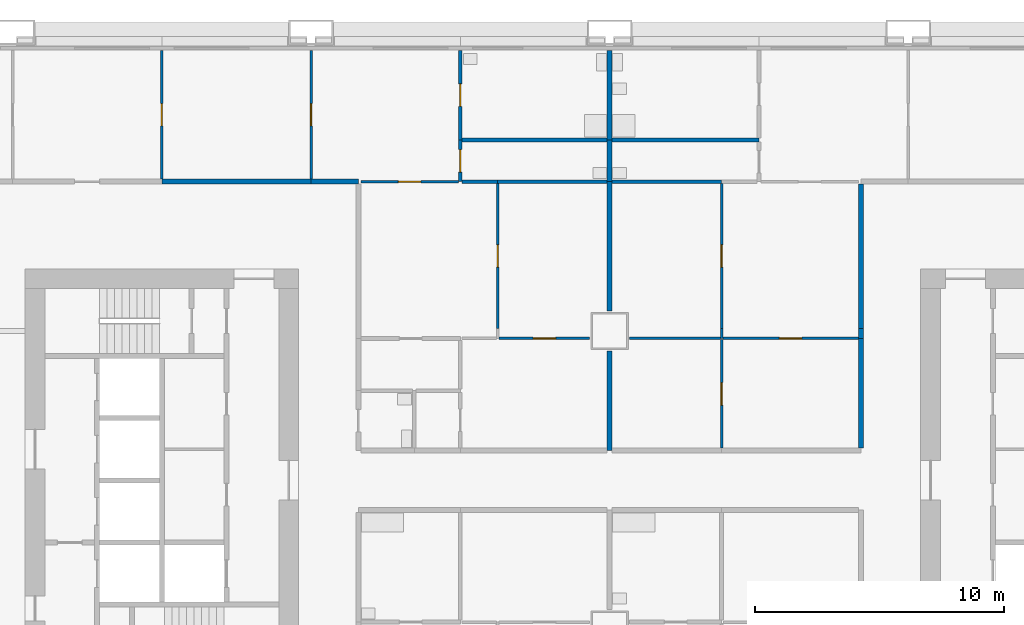
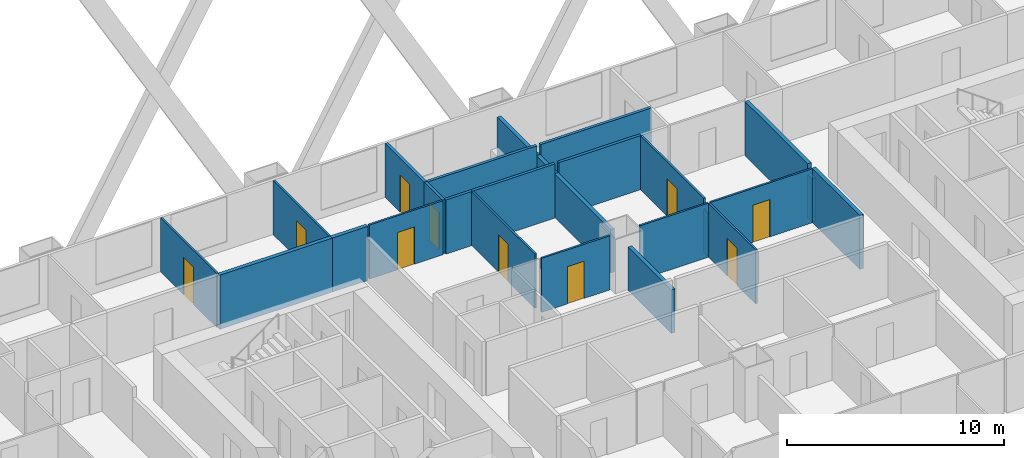
# One storey, part 8 of 13: 26 walls, 10 doors, 10 openings.
"""IFC4 building model written with IfcOpenShell, lengths in metres."""

from ifc_helpers import new_model, si_unit, direction, frame, frame_2d, origin, place, context, subcontext, project, spatial, rectangle, extrude, material, layer, layer_set, type_object, element, fill, save


model = new_model("IFC4")

# Units and contexts
model_context = context("Model", 3, precision=1e-05, world=origin(), true_north=direction((0.0, 1.0)))
body_context = subcontext(model_context, "Body", "Model", "MODEL_VIEW")
ifc_project = project(units=[si_unit("LENGTHUNIT", "METRE"), si_unit("AREAUNIT", "SQUARE_METRE"), si_unit("VOLUMEUNIT", "CUBIC_METRE"), si_unit("PLANEANGLEUNIT", "RADIAN"), si_unit("MASSUNIT", "GRAM", prefix="KILO")], contexts=[model_context])

# Site, building, storey
site_placement = place(None, origin())
site = spatial("IfcSite", under=ifc_project, at=site_placement, CompositionType="ELEMENT")
building_placement = place(site_placement, origin())
building = spatial("IfcBuilding", under=site, at=building_placement, Name="Kitamizu Gate Tower and Museum", CompositionType="ELEMENT")
storey_placement = place(building_placement, frame((0.0, 0.0, 30.0)))
storey = spatial("IfcBuildingStorey", under=building, at=storey_placement, Name="L05", CompositionType="ELEMENT", Elevation=30.0)

# Wall, opening, door
ifc_material_1 = material(Name="Gypsum board on galvanised stud")
ifc_layer_1 = layer(ifc_material_1, 0.10009765625)
ifc_layer_set_1 = layer_set([ifc_layer_1], Name="Gypsum board on galvanised stud")
wall_type_1 = type_object("IfcWallType", Name="Partition 100 NOT RATED", PredefinedType="PARTITIONING", material=ifc_layer_set_1)
wall_1_placement = place(storey_placement, frame((18.0, 42.10009765625, 0.0), z_axis=(0.0, 0.0, 1.0), x_axis=(0.0, 1.0, 0.0)))
wall_1 = element("IfcWall", 1, at=wall_1_placement, inside=storey, type_object=wall_type_1, Name="Partition L05-148", PredefinedType="PARTITIONING", context=body_context, shape_type="SweptSolid", body=[
    extrude(rectangle(XDim=5.179931640625, YDim=0.10009765625, at=frame_2d((2.58984375, 0.0))), origin(), (0.0, 0.0, 1.0), 3.050048828125),
])
opening_1_placement = place(wall_1_placement, frame((2.139892578125, 0.0, 0.0)))
opening_1 = element("IfcOpeningElement", 2, at=opening_1_placement, cuts=wall_1, Name="Opening L05-057", PredefinedType="OPENING", context=body_context, shape_type="SweptSolid", body=[
    extrude(rectangle(XDim=0.89990234375, YDim=2.10009765625, at=frame_2d((0.449951171875, 1.050048828125))), frame((0.0, 0.06005859375, 0.0), z_axis=(0.0, -1.0, 0.0), x_axis=(1.0, 0.0, 0.0)), (0.0, 0.0, 1.0), 0.1201171875),
])
ifc_material_2 = material(Name="Timber door set", Category="wood")
door_type_1 = type_object("IfcDoorType", Name="Room door 900", OperationType="NOTDEFINED", PredefinedType="DOOR", material=ifc_material_2)
door_1_placement = place(opening_1_placement, frame((0.89990234375, 0.0, 0.0), x_axis=(-1.0, 0.0, 0.0)))
door_1 = element("IfcDoor", 3, at=door_1_placement, inside=storey, type_object=door_type_1, Name="Door L05-057", OperationType="SINGLE_SWING_RIGHT", OverallHeight=2.10009765625, OverallWidth=0.89990234375, PredefinedType="DOOR", context=body_context, shape_type="SweptSolid", body=[
    extrude(rectangle(XDim=0.89990234375, YDim=2.10009765625, at=frame_2d((0.449951171875, 1.050048828125))), frame((0.0, 0.02490234375, 0.0), z_axis=(0.0, -1.0, 0.0), x_axis=(1.0, 0.0, 0.0)), (0.0, 0.0, 1.0), 0.050048828125),
])
fill(opening_1, door_1)

wall_2_placement = place(storey_placement, frame((24.0, 42.10009765625, 0.0), z_axis=(0.0, 0.0, 1.0), x_axis=(0.0, 1.0, 0.0)))
wall_2 = element("IfcWall", 4, at=wall_2_placement, inside=storey, type_object=wall_type_1, Name="Partition L05-150", PredefinedType="PARTITIONING", context=body_context, shape_type="SweptSolid", body=[
    extrude(rectangle(XDim=5.179931640625, YDim=0.10009765625, at=frame_2d((2.58984375, 0.0))), origin(), (0.0, 0.0, 1.0), 3.050048828125),
])
opening_2_placement = place(wall_2_placement, frame((2.139892578125, 0.0, 0.0)))
opening_2 = element("IfcOpeningElement", 5, at=opening_2_placement, cuts=wall_2, Name="Opening L05-059", PredefinedType="OPENING", context=body_context, shape_type="SweptSolid", body=[
    extrude(rectangle(XDim=0.89990234375, YDim=2.10009765625, at=frame_2d((0.449951171875, 1.050048828125))), frame((0.0, 0.06005859375, 0.0), z_axis=(0.0, -1.0, 0.0), x_axis=(1.0, 0.0, 0.0)), (0.0, 0.0, 1.0), 0.1201171875),
])
door_2_placement = place(opening_2_placement, origin())
door_2 = element("IfcDoor", 6, at=door_2_placement, inside=storey, type_object=door_type_1, Name="Door L05-059", OperationType="SINGLE_SWING_LEFT", OverallHeight=2.10009765625, OverallWidth=0.89990234375, PredefinedType="DOOR", context=body_context, shape_type="SweptSolid", body=[
    extrude(rectangle(XDim=0.89990234375, YDim=2.10009765625, at=frame_2d((0.449951171875, 1.050048828125))), frame((0.0, 0.02490234375, 0.0), z_axis=(0.0, -1.0, 0.0), x_axis=(1.0, 0.0, 0.0)), (0.0, 0.0, 1.0), 0.050048828125),
])
fill(opening_2, door_2)

wall_3_placement = place(storey_placement, frame((26.0, 42.0, 0.0), z_axis=(0.0, 0.0, 1.0), x_axis=(1.0, 0.0, 0.0)))
wall_3 = element("IfcWall", 7, at=wall_3_placement, inside=storey, type_object=wall_type_1, Name="Partition L05-154", PredefinedType="PARTITIONING", context=body_context, shape_type="SweptSolid", body=[
    extrude(rectangle(XDim=3.925048828125, YDim=0.10009765625, at=frame_2d((1.96240234375, 0.0))), origin(), (0.0, 0.0, 1.0), 3.050048828125),
])
opening_3_placement = place(wall_3_placement, frame((1.512451171875, 0.0, 0.0)))
opening_3 = element("IfcOpeningElement", 8, at=opening_3_placement, cuts=wall_3, Name="Opening L05-062", PredefinedType="OPENING", context=body_context, shape_type="SweptSolid", body=[
    extrude(rectangle(XDim=0.89990234375, YDim=2.10009765625, at=frame_2d((0.449951171875, 1.050048828125))), frame((0.0, 0.06005859375, 0.0), z_axis=(0.0, -1.0, 0.0), x_axis=(1.0, 0.0, 0.0)), (0.0, 0.0, 1.0), 0.1201171875),
])
door_3_placement = place(opening_3_placement, origin())
door_3 = element("IfcDoor", 9, at=door_3_placement, inside=storey, type_object=door_type_1, Name="Door L05-062", OperationType="SINGLE_SWING_RIGHT", OverallHeight=2.10009765625, OverallWidth=0.89990234375, PredefinedType="DOOR", context=body_context, shape_type="SweptSolid", body=[
    extrude(rectangle(XDim=0.89990234375, YDim=2.10009765625, at=frame_2d((0.449951171875, 1.050048828125))), frame((0.0, 0.02490234375, 0.0), z_axis=(0.0, -1.0, 0.0), x_axis=(1.0, 0.0, 0.0)), (0.0, 0.0, 1.0), 0.050048828125),
])
fill(opening_3, door_3)

wall_4_placement = place(storey_placement, frame((31.5, 36.10009765625, 0.0), z_axis=(0.0, 0.0, 1.0), x_axis=(0.0, 1.0, 0.0)))
wall_4 = element("IfcWall", 10, at=wall_4_placement, inside=storey, type_object=wall_type_1, Name="Partition L05-162", PredefinedType="PARTITIONING", context=body_context, shape_type="SweptSolid", body=[
    extrude(rectangle(XDim=5.824951171875, YDim=0.10009765625, at=frame_2d((2.91259765625, 0.0))), origin(), (0.0, 0.0, 1.0), 3.050048828125),
])
opening_4_placement = place(wall_4_placement, frame((2.46240234375, 0.0, 0.0)))
opening_4 = element("IfcOpeningElement", 11, at=opening_4_placement, cuts=wall_4, Name="Opening L05-063", PredefinedType="OPENING", context=body_context, shape_type="SweptSolid", body=[
    extrude(rectangle(XDim=0.89990234375, YDim=2.10009765625, at=frame_2d((0.449951171875, 1.050048828125))), frame((0.0, 0.06005859375, 0.0), z_axis=(0.0, -1.0, 0.0), x_axis=(1.0, 0.0, 0.0)), (0.0, 0.0, 1.0), 0.1201171875),
])
door_4_placement = place(opening_4_placement, frame((0.89990234375, 0.0, 0.0), x_axis=(-1.0, 0.0, 0.0)))
door_4 = element("IfcDoor", 12, at=door_4_placement, inside=storey, type_object=door_type_1, Name="Door L05-063", OperationType="SINGLE_SWING_RIGHT", OverallHeight=2.10009765625, OverallWidth=0.89990234375, PredefinedType="DOOR", context=body_context, shape_type="SweptSolid", body=[
    extrude(rectangle(XDim=0.89990234375, YDim=2.10009765625, at=frame_2d((0.449951171875, 1.050048828125))), frame((0.0, 0.02490234375, 0.0), z_axis=(0.0, -1.0, 0.0), x_axis=(1.0, 0.0, 0.0)), (0.0, 0.0, 1.0), 0.050048828125),
])
fill(opening_4, door_4)

wall_5_placement = place(storey_placement, frame((31.550048828125, 35.699951171875, 0.0), z_axis=(0.0, 0.0, 1.0), x_axis=(1.0, 0.0, 0.0)))
wall_5 = element("IfcWall", 13, at=wall_5_placement, inside=storey, type_object=wall_type_1, Name="Partition L05-166", PredefinedType="PARTITIONING", context=body_context, shape_type="SweptSolid", body=[
    extrude(rectangle(XDim=3.64990234375, YDim=0.10009765625, at=frame_2d((1.824951171875, 0.0))), origin(), (0.0, 0.0, 1.0), 3.050048828125),
])
opening_5_placement = place(wall_5_placement, frame((1.375, 0.0, 0.0)))
opening_5 = element("IfcOpeningElement", 14, at=opening_5_placement, cuts=wall_5, Name="Opening L05-065", PredefinedType="OPENING", context=body_context, shape_type="SweptSolid", body=[
    extrude(rectangle(XDim=0.89990234375, YDim=2.10009765625, at=frame_2d((0.449951171875, 1.050048828125))), frame((0.0, 0.06005859375, 0.0), z_axis=(0.0, -1.0, 0.0), x_axis=(1.0, 0.0, 0.0)), (0.0, 0.0, 1.0), 0.1201171875),
])
door_5_placement = place(opening_5_placement, frame((0.89990234375, 0.0, 0.0), x_axis=(-1.0, 0.0, 0.0)))
door_5 = element("IfcDoor", 15, at=door_5_placement, inside=storey, type_object=door_type_1, Name="Door L05-065", OperationType="SINGLE_SWING_RIGHT", OverallHeight=2.10009765625, OverallWidth=0.89990234375, PredefinedType="DOOR", context=body_context, shape_type="SweptSolid", body=[
    extrude(rectangle(XDim=0.89990234375, YDim=2.10009765625, at=frame_2d((0.449951171875, 1.050048828125))), frame((0.0, 0.02490234375, 0.0), z_axis=(0.0, -1.0, 0.0), x_axis=(1.0, 0.0, 0.0)), (0.0, 0.0, 1.0), 0.050048828125),
])
fill(opening_5, door_5)

# Wall
wall_6_placement = place(storey_placement, frame((40.5, 35.699951171875, 0.0), z_axis=(0.0, 0.0, 1.0), x_axis=(0.0, 1.0, 0.0)))
element("IfcWall", 16, at=wall_6_placement, inside=storey, type_object=wall_type_1, Name="Partition L05-192", PredefinedType="PARTITIONING", context=body_context, shape_type="SweptSolid", body=[
    extrude(rectangle(XDim=0.400146484375, YDim=0.10009765625, at=frame_2d((0.2001953125, 0.0))), origin(), (0.0, 0.0, 1.0), 2.449951171875),
])

# Wall, opening, door
wall_7_placement = place(storey_placement, frame((40.5, 36.10009765625, 0.0), z_axis=(0.0, 0.0, 1.0), x_axis=(0.0, 1.0, 0.0)))
wall_7 = element("IfcWall", 17, at=wall_7_placement, inside=storey, type_object=wall_type_1, Name="Partition L05-193", PredefinedType="PARTITIONING", context=body_context, shape_type="SweptSolid", body=[
    extrude(rectangle(XDim=5.824951171875, YDim=0.10009765625, at=frame_2d((2.91259765625, 0.0))), origin(), (0.0, 0.0, 1.0), 3.050048828125),
])
opening_6_placement = place(wall_7_placement, frame((2.46240234375, 0.0, 0.0)))
opening_6 = element("IfcOpeningElement", 18, at=opening_6_placement, cuts=wall_7, Name="Opening L05-076", PredefinedType="OPENING", context=body_context, shape_type="SweptSolid", body=[
    extrude(rectangle(XDim=0.89990234375, YDim=2.10009765625, at=frame_2d((0.449951171875, 1.050048828125))), frame((0.0, 0.06005859375, 0.0), z_axis=(0.0, -1.0, 0.0), x_axis=(1.0, 0.0, 0.0)), (0.0, 0.0, 1.0), 0.1201171875),
])
door_6_placement = place(opening_6_placement, origin())
door_6 = element("IfcDoor", 19, at=door_6_placement, inside=storey, type_object=door_type_1, Name="Door L05-076", OperationType="SINGLE_SWING_LEFT", OverallHeight=2.10009765625, OverallWidth=0.89990234375, PredefinedType="DOOR", context=body_context, shape_type="SweptSolid", body=[
    extrude(rectangle(XDim=0.89990234375, YDim=2.10009765625, at=frame_2d((0.449951171875, 1.050048828125))), frame((0.0, 0.02490234375, 0.0), z_axis=(0.0, -1.0, 0.0), x_axis=(1.0, 0.0, 0.0)), (0.0, 0.0, 1.0), 0.050048828125),
])
fill(opening_6, door_6)

# Wall
wall_8_placement = place(storey_placement, frame((36.800048828125, 35.699951171875, 0.0), z_axis=(0.0, 0.0, 1.0), x_axis=(1.0, 0.0, 0.0)))
element("IfcWall", 20, at=wall_8_placement, inside=storey, type_object=wall_type_1, Name="Partition L05-194", PredefinedType="PARTITIONING", context=body_context, shape_type="SweptSolid", body=[
    extrude(rectangle(XDim=3.64990234375, YDim=0.10009765625, at=frame_2d((1.824951171875, 0.0))), origin(), (0.0, 0.0, 1.0), 3.050048828125),
])

# Wall, opening, door
wall_9_placement = place(storey_placement, frame((40.550048828125, 35.699951171875, 0.0), z_axis=(0.0, 0.0, 1.0), x_axis=(1.0, 0.0, 0.0)))
wall_9 = element("IfcWall", 21, at=wall_9_placement, inside=storey, type_object=wall_type_1, Name="Partition L05-195", PredefinedType="PARTITIONING", context=body_context, shape_type="SweptSolid", body=[
    extrude(rectangle(XDim=5.449951171875, YDim=0.10009765625, at=frame_2d((2.72509765625, 0.0))), origin(), (0.0, 0.0, 1.0), 3.050048828125),
])
opening_7_placement = place(wall_9_placement, frame((2.27490234375, 0.0, 0.0)))
opening_7 = element("IfcOpeningElement", 22, at=opening_7_placement, cuts=wall_9, Name="Opening L05-073", PredefinedType="OPENING", context=body_context, shape_type="SweptSolid", body=[
    extrude(rectangle(XDim=0.89990234375, YDim=2.10009765625, at=frame_2d((0.449951171875, 1.050048828125))), frame((0.0, 0.06005859375, 0.0), z_axis=(0.0, -1.0, 0.0), x_axis=(1.0, 0.0, 0.0)), (0.0, 0.0, 1.0), 0.1201171875),
])
door_7_placement = place(opening_7_placement, frame((0.89990234375, 0.0, 0.0), x_axis=(-1.0, 0.0, 0.0)))
door_7 = element("IfcDoor", 23, at=door_7_placement, inside=storey, type_object=door_type_1, Name="Door L05-073", OperationType="SINGLE_SWING_LEFT", OverallHeight=2.10009765625, OverallWidth=0.89990234375, PredefinedType="DOOR", context=body_context, shape_type="SweptSolid", body=[
    extrude(rectangle(XDim=0.89990234375, YDim=2.10009765625, at=frame_2d((0.449951171875, 1.050048828125))), frame((0.0, 0.02490234375, 0.0), z_axis=(0.0, -1.0, 0.0), x_axis=(1.0, 0.0, 0.0)), (0.0, 0.0, 1.0), 0.050048828125),
])
fill(opening_7, door_7)

wall_10_placement = place(storey_placement, frame((40.5, 31.300048828125, 0.0), z_axis=(0.0, 0.0, 1.0), x_axis=(0.0, 1.0, 0.0)))
wall_10 = element("IfcWall", 24, at=wall_10_placement, inside=storey, type_object=wall_type_1, Name="Partition L05-198", PredefinedType="PARTITIONING", context=body_context, shape_type="SweptSolid", body=[
    extrude(rectangle(XDim=4.349853515625, YDim=0.10009765625, at=frame_2d((2.1748046875, 0.0))), origin(), (0.0, 0.0, 1.0), 3.050048828125),
])
opening_8_placement = place(wall_10_placement, frame((1.72509765625, 0.0, 0.0)))
opening_8 = element("IfcOpeningElement", 25, at=opening_8_placement, cuts=wall_10, Name="Opening L05-077", PredefinedType="OPENING", context=body_context, shape_type="SweptSolid", body=[
    extrude(rectangle(XDim=0.89990234375, YDim=2.10009765625, at=frame_2d((0.449951171875, 1.050048828125))), frame((0.0, 0.06005859375, 0.0), z_axis=(0.0, -1.0, 0.0), x_axis=(1.0, 0.0, 0.0)), (0.0, 0.0, 1.0), 0.1201171875),
])
door_8_placement = place(opening_8_placement, origin())
door_8 = element("IfcDoor", 26, at=door_8_placement, inside=storey, type_object=door_type_1, Name="Door L05-077", OperationType="SINGLE_SWING_RIGHT", OverallHeight=2.10009765625, OverallWidth=0.89990234375, PredefinedType="DOOR", context=body_context, shape_type="SweptSolid", body=[
    extrude(rectangle(XDim=0.89990234375, YDim=2.10009765625, at=frame_2d((0.449951171875, 1.050048828125))), frame((0.0, 0.02490234375, 0.0), z_axis=(0.0, -1.0, 0.0), x_axis=(1.0, 0.0, 0.0)), (0.0, 0.0, 1.0), 0.050048828125),
])
fill(opening_8, door_8)

ifc_material_3 = material(Name="Gypsum board on galvanised stud")
ifc_layer_2 = layer(ifc_material_3, 0.14990234375)
ifc_layer_set_2 = layer_set([ifc_layer_2], Name="Gypsum board on galvanised stud")
wall_type_2 = type_object("IfcWallType", Name="Partition 150", PredefinedType="PARTITIONING", material=ifc_layer_set_2)
wall_11_placement = place(storey_placement, frame((30.0, 43.679931640625, 0.0), z_axis=(0.0, 0.0, 1.0), x_axis=(0.0, 1.0, 0.0)))
wall_11 = element("IfcWall", 27, at=wall_11_placement, inside=storey, type_object=wall_type_2, Name="Partition L05-152", PredefinedType="PARTITIONING", context=body_context, shape_type="SweptSolid", body=[
    extrude(rectangle(XDim=3.60009765625, YDim=0.14990234375, at=frame_2d((1.800048828125, 0.0))), origin(), (0.0, 0.0, 1.0), 3.050048828125),
])
opening_9_placement = place(wall_11_placement, frame((1.35009765625, 0.0, 0.0)))
opening_9 = element("IfcOpeningElement", 28, at=opening_9_placement, cuts=wall_11, Name="Opening L05-060", PredefinedType="OPENING", context=body_context, shape_type="SweptSolid", body=[
    extrude(rectangle(XDim=0.89990234375, YDim=2.10009765625, at=frame_2d((0.449951171875, 1.050048828125))), frame((0.0, 0.0849609375, 0.0), z_axis=(0.0, -1.0, 0.0), x_axis=(1.0, 0.0, 0.0)), (0.0, 0.0, 1.0), 0.169921875),
])
ifc_material_4 = material(Name="Timber door set", Category="wood")
door_type_2 = type_object("IfcDoorType", Name="Bathroom door 900", OperationType="NOTDEFINED", PredefinedType="DOOR", material=ifc_material_4)
door_9_placement = place(opening_9_placement, frame((0.89990234375, 0.0, 0.0), x_axis=(-1.0, 0.0, 0.0)))
door_9 = element("IfcDoor", 29, at=door_9_placement, inside=storey, type_object=door_type_2, Name="Bathroom door L05-060", OperationType="SINGLE_SWING_LEFT", OverallHeight=2.10009765625, OverallWidth=0.89990234375, PredefinedType="DOOR", context=body_context, shape_type="SweptSolid", body=[
    extrude(rectangle(XDim=0.89990234375, YDim=2.10009765625, at=frame_2d((0.449951171875, 1.050048828125))), frame((0.0, 0.02490234375, 0.0), z_axis=(0.0, -1.0, 0.0), x_axis=(1.0, 0.0, 0.0)), (0.0, 0.0, 1.0), 0.050048828125),
])
fill(opening_9, door_9)

wall_12_placement = place(storey_placement, frame((30.0, 42.0, 0.0), z_axis=(0.0, 0.0, 1.0), x_axis=(0.0, 1.0, 0.0)))
wall_12 = element("IfcWall", 30, at=wall_12_placement, inside=storey, type_object=wall_type_2, Name="Partition L05-153", PredefinedType="PARTITIONING", context=body_context, shape_type="SweptSolid", body=[
    extrude(rectangle(XDim=1.679931640625, YDim=0.14990234375, at=frame_2d((0.83984375, 0.0))), origin(), (0.0, 0.0, 1.0), 3.050048828125),
])
opening_10_placement = place(wall_12_placement, frame((0.389892578125, 0.0, 0.0)))
opening_10 = element("IfcOpeningElement", 31, at=opening_10_placement, cuts=wall_12, Name="Opening L05-061", PredefinedType="OPENING", context=body_context, shape_type="SweptSolid", body=[
    extrude(rectangle(XDim=0.89990234375, YDim=2.10009765625, at=frame_2d((0.449951171875, 1.050048828125))), frame((0.0, 0.0849609375, 0.0), z_axis=(0.0, -1.0, 0.0), x_axis=(1.0, 0.0, 0.0)), (0.0, 0.0, 1.0), 0.169921875),
])
door_10_placement = place(opening_10_placement, frame((0.89990234375, 0.0, 0.0), x_axis=(-1.0, 0.0, 0.0)))
door_10 = element("IfcDoor", 32, at=door_10_placement, inside=storey, type_object=door_type_2, Name="Bathroom door L05-061", OperationType="SINGLE_SWING_RIGHT", OverallHeight=2.10009765625, OverallWidth=0.89990234375, PredefinedType="DOOR", context=body_context, shape_type="SweptSolid", body=[
    extrude(rectangle(XDim=0.89990234375, YDim=2.10009765625, at=frame_2d((0.449951171875, 1.050048828125))), frame((0.0, 0.02490234375, 0.0), z_axis=(0.0, -1.0, 0.0), x_axis=(1.0, 0.0, 0.0)), (0.0, 0.0, 1.0), 0.050048828125),
])
fill(opening_10, door_10)

# Walls
wall_13_placement = place(storey_placement, frame((30.074951171875, 43.679931640625, 0.0), z_axis=(0.0, 0.0, 1.0), x_axis=(1.0, 0.0, 0.0)))
element("IfcWall", 33, at=wall_13_placement, inside=storey, type_object=wall_type_2, Name="Partition L05-156", PredefinedType="PARTITIONING", context=body_context, shape_type="SweptSolid", body=[
    extrude(rectangle(XDim=5.824951171875, YDim=0.14990234375, at=frame_2d((2.91259765625, 0.0))), origin(), (0.0, 0.0, 1.0), 3.050048828125),
])
wall_14_placement = place(storey_placement, frame((30.074951171875, 42.0, 0.0), z_axis=(0.0, 0.0, 1.0), x_axis=(1.0, 0.0, 0.0)))
element("IfcWall", 34, at=wall_14_placement, inside=storey, type_object=wall_type_2, Name="Partition L05-158", PredefinedType="PARTITIONING", context=body_context, shape_type="SweptSolid", body=[
    extrude(rectangle(XDim=1.425048828125, YDim=0.14990234375, at=frame_2d((0.71240234375, 0.0))), origin(), (0.0, 0.0, 1.0), 3.050048828125),
])
wall_15_placement = place(storey_placement, frame((31.5, 42.0, 0.0), z_axis=(0.0, 0.0, 1.0), x_axis=(1.0, 0.0, 0.0)))
element("IfcWall", 35, at=wall_15_placement, inside=storey, type_object=wall_type_2, Name="Partition L05-159", PredefinedType="PARTITIONING", context=body_context, shape_type="SweptSolid", body=[
    extrude(rectangle(XDim=4.39990234375, YDim=0.14990234375, at=frame_2d((2.199951171875, 0.0))), origin(), (0.0, 0.0, 1.0), 3.050048828125),
])
wall_16_placement = place(storey_placement, frame((36.10009765625, 43.679931640625, 0.0), z_axis=(0.0, 0.0, 1.0), x_axis=(1.0, 0.0, 0.0)))
element("IfcWall", 36, at=wall_16_placement, inside=storey, type_object=wall_type_2, Name="Partition L05-179", PredefinedType="PARTITIONING", context=body_context, shape_type="SweptSolid", body=[
    extrude(rectangle(XDim=5.89990234375, YDim=0.14990234375, at=frame_2d((2.949951171875, 0.0))), origin(), (0.0, 0.0, 1.0), 3.050048828125),
])
wall_17_placement = place(storey_placement, frame((36.10009765625, 42.0, 0.0), z_axis=(0.0, 0.0, 1.0), x_axis=(1.0, 0.0, 0.0)))
element("IfcWall", 37, at=wall_17_placement, inside=storey, type_object=wall_type_2, Name="Partition L05-182", PredefinedType="PARTITIONING", context=body_context, shape_type="SweptSolid", body=[
    extrude(rectangle(XDim=4.39990234375, YDim=0.14990234375, at=frame_2d((2.199951171875, 0.0))), origin(), (0.0, 0.0, 1.0), 3.050048828125),
])
ifc_material_5 = material(Name="Gypsum board on galvanised stud")
ifc_layer_3 = layer(ifc_material_5, 0.199951171875)
ifc_layer_set_3 = layer_set([ifc_layer_3], Name="Gypsum board on galvanised stud")
wall_type_3 = type_object("IfcWallType", Name="Partition 200", PredefinedType="PARTITIONING", material=ifc_layer_set_3)
wall_18_placement = place(storey_placement, frame((18.0, 42.0, 0.0), z_axis=(0.0, 0.0, 1.0), x_axis=(1.0, 0.0, 0.0)))
element("IfcWall", 38, at=wall_18_placement, inside=storey, type_object=wall_type_3, Name="Partition L05-151", PredefinedType="PARTITIONING", context=body_context, shape_type="SweptSolid", body=[
    extrude(rectangle(XDim=6.0, YDim=0.199951171875, at=frame_2d((3.0, 0.0))), origin(), (0.0, 0.0, 1.0), 3.050048828125),
])
wall_19_placement = place(storey_placement, frame((24.0, 42.0, 0.0), z_axis=(0.0, 0.0, 1.0), x_axis=(1.0, 0.0, 0.0)))
element("IfcWall", 39, at=wall_19_placement, inside=storey, type_object=wall_type_3, Name="Partition L05-155", PredefinedType="PARTITIONING", context=body_context, shape_type="SweptSolid", body=[
    extrude(rectangle(XDim=1.89990234375, YDim=0.199951171875, at=frame_2d((0.949951171875, 0.0))), origin(), (0.0, 0.0, 1.0), 3.050048828125),
])
wall_20_placement = place(storey_placement, frame((36.0, 43.679931640625, 0.0), z_axis=(0.0, 0.0, 1.0), x_axis=(0.0, 1.0, 0.0)))
element("IfcWall", 40, at=wall_20_placement, inside=storey, type_object=wall_type_3, Name="Partition L05-157", PredefinedType="PARTITIONING", context=body_context, shape_type="SweptSolid", body=[
    extrude(rectangle(XDim=3.60009765625, YDim=0.199951171875, at=frame_2d((1.800048828125, 0.0))), origin(), (0.0, 0.0, 1.0), 2.449951171875),
])
wall_21_placement = place(storey_placement, frame((36.0, 42.0, 0.0), z_axis=(0.0, 0.0, 1.0), x_axis=(0.0, 1.0, 0.0)))
element("IfcWall", 41, at=wall_21_placement, inside=storey, type_object=wall_type_3, Name="Partition L05-160", PredefinedType="PARTITIONING", context=body_context, shape_type="SweptSolid", body=[
    extrude(rectangle(XDim=1.679931640625, YDim=0.199951171875, at=frame_2d((0.83984375, 0.0))), origin(), (0.0, 0.0, 1.0), 2.449951171875),
])
wall_22_placement = place(storey_placement, frame((36.0, 36.800048828125, 0.0), z_axis=(0.0, 0.0, 1.0), x_axis=(0.0, 1.0, 0.0)))
element("IfcWall", 42, at=wall_22_placement, inside=storey, type_object=wall_type_3, Name="Partition L05-167", PredefinedType="PARTITIONING", context=body_context, shape_type="SweptSolid", body=[
    extrude(rectangle(XDim=5.199951171875, YDim=0.199951171875, at=frame_2d((2.60009765625, 0.0))), origin(), (0.0, 0.0, 1.0), 2.449951171875),
])
wall_23_placement = place(storey_placement, frame((36.0, 31.199951171875, 0.0), z_axis=(0.0, 0.0, 1.0), x_axis=(0.0, 1.0, 0.0)))
element("IfcWall", 43, at=wall_23_placement, inside=storey, type_object=wall_type_3, Name="Partition L05-177", PredefinedType="PARTITIONING", context=body_context, shape_type="SweptSolid", body=[
    extrude(rectangle(XDim=4.0, YDim=0.199951171875, at=frame_2d((2.0, 0.0))), origin(), (0.0, 0.0, 1.0), 2.449951171875),
])
wall_24_placement = place(storey_placement, frame((46.10009765625, 35.699951171875, 0.0), z_axis=(0.0, 0.0, 1.0), x_axis=(0.0, 1.0, 0.0)))
element("IfcWall", 44, at=wall_24_placement, inside=storey, type_object=wall_type_3, Name="Partition L05-196", PredefinedType="PARTITIONING", context=body_context, shape_type="SweptSolid", body=[
    extrude(rectangle(XDim=0.400146484375, YDim=0.199951171875, at=frame_2d((0.2001953125, 0.0))), origin(), (0.0, 0.0, 1.0), 2.449951171875),
])
wall_25_placement = place(storey_placement, frame((46.10009765625, 36.10009765625, 0.0), z_axis=(0.0, 0.0, 1.0), x_axis=(0.0, 1.0, 0.0)))
element("IfcWall", 45, at=wall_25_placement, inside=storey, type_object=wall_type_3, Name="Partition L05-197", PredefinedType="PARTITIONING", context=body_context, shape_type="SweptSolid", body=[
    extrude(rectangle(XDim=5.7998046875, YDim=0.199951171875, at=frame_2d((2.89990234375, 0.0))), origin(), (0.0, 0.0, 1.0), 3.050048828125),
])
wall_26_placement = place(storey_placement, frame((46.10009765625, 31.300048828125, 0.0), z_axis=(0.0, 0.0, 1.0), x_axis=(0.0, 1.0, 0.0)))
element("IfcWall", 46, at=wall_26_placement, inside=storey, type_object=wall_type_3, Name="Partition L05-201", PredefinedType="PARTITIONING", context=body_context, shape_type="SweptSolid", body=[
    extrude(rectangle(XDim=4.39990234375, YDim=0.199951171875, at=frame_2d((2.199951171875, 0.0))), origin(), (0.0, 0.0, 1.0), 3.050048828125),
])

save(model, "model.ifc")
